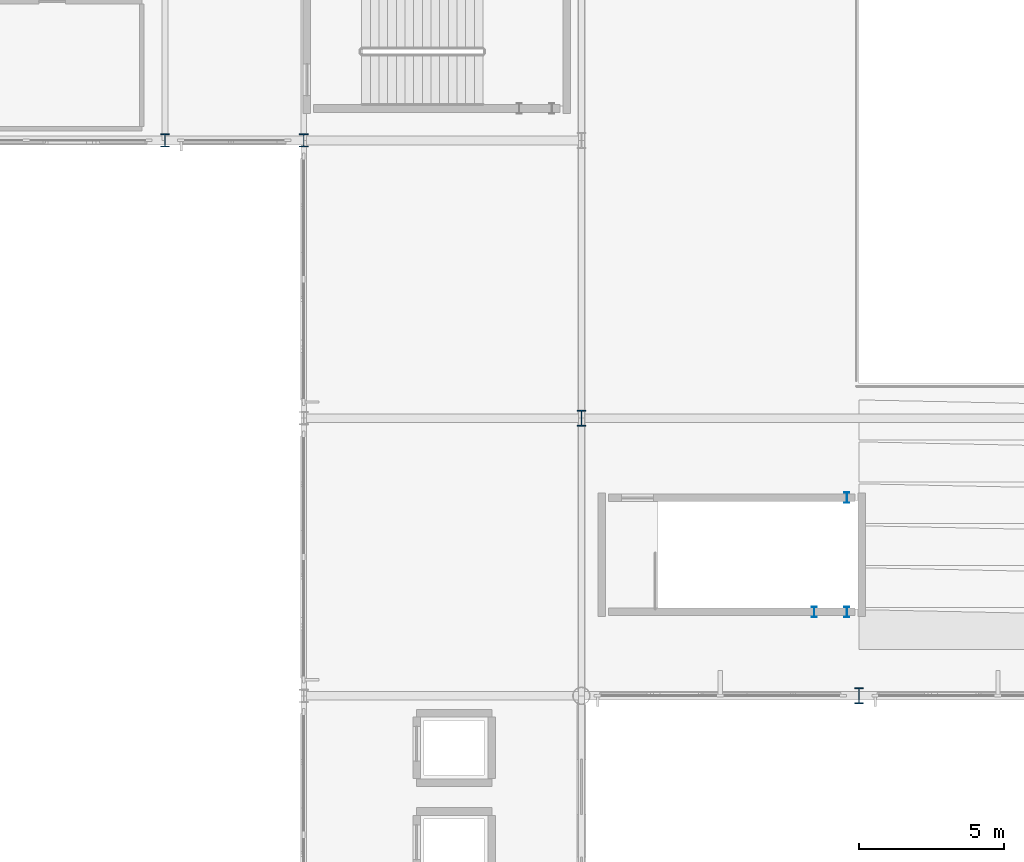
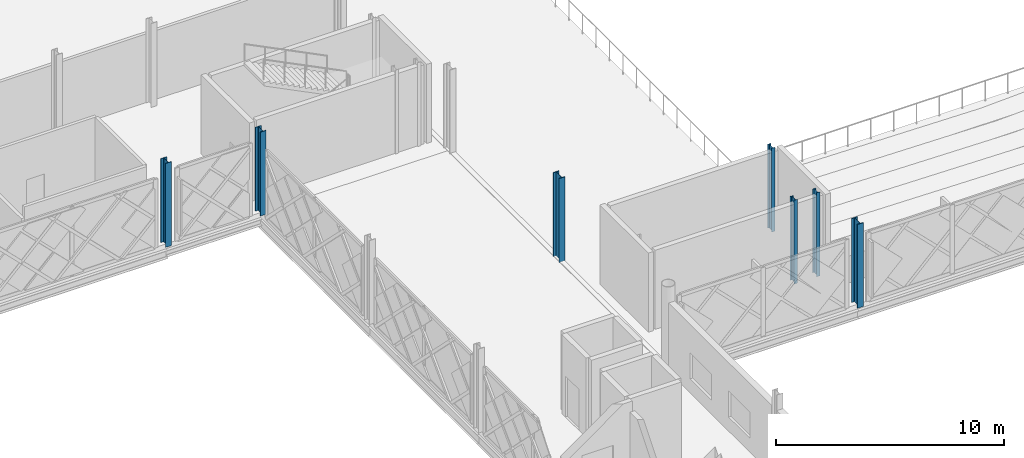
# One storey, part 13 of 101: 7 columns.
"""IFC4 building model written with IfcOpenShell, lengths in metres."""

import ifcopenshell
import ifcopenshell.guid

model = None  # the IFC model being written
_history = None  # IfcOwnerHistory: only IFC2X3 demands one
_inside = {}  # id of a spatial element -> (the spatial element, [elements in it])
_under = {}  # id of a project, library or spatial element -> (it, [spatial elements below it])
_declared = {}  # id of a project -> (the project, [libraries it declares])
_typed = {}  # id of a type object -> (the type object, [elements of that type])
_made_of = {}  # id of a material, layer set ... -> (it, [elements and type objects made of it])


def new_model(schema):
    """Start an empty IFC model of exactly this schema.

    Asked for "IFC4X3", IfcOpenShell would pick the latest addendum, in which some entities
    have other attributes; the version numbers below select the first issue.
    IFC2X3 requires an IfcOwnerHistory on every rooted entity: one is made here for all.
    """
    global model, _history
    if schema == "IFC4X3":
        model = ifcopenshell.file(schema_version=(4, 3, 0, 0))
    else:
        model = ifcopenshell.file(schema=schema)
    _inside.clear()
    _under.clear()
    _declared.clear()
    _typed.clear()
    _made_of.clear()
    _history = None
    if model.schema == "IFC2X3":
        org = make("IfcOrganization", Name="unknown")
        user = make(
            "IfcPersonAndOrganization",
            ThePerson=make("IfcPerson", FamilyName="unknown"),
            TheOrganization=org,
        )
        app = make(
            "IfcApplication",
            ApplicationDeveloper=org,
            Version="unknown",
            ApplicationFullName="unknown",
            ApplicationIdentifier="unknown",
        )
        _history = make(
            "IfcOwnerHistory",
            OwningUser=user,
            OwningApplication=app,
            ChangeAction="ADDED",
            CreationDate=0,
        )
    return model


def make(cls, **values):
    """One entity of the class cls with the attributes given. An attribute that is None is left unset."""
    return model.create_entity(
        cls, **{name: value for name, value in values.items() if value is not None}
    )


def rooted(cls, **values):
    """An entity with a GlobalId (a new one), such as an element, a storey or a relation."""
    return make(cls, GlobalId=ifcopenshell.guid.new(), OwnerHistory=_history, **values)


def si_unit(unit_type, name, prefix=None):
    """IfcSIUnit, for example si_unit("LENGTHUNIT", "METRE", prefix="MILLI")."""
    return make("IfcSIUnit", UnitType=unit_type, Prefix=prefix, Name=name)


def assignment(units):
    """IfcUnitAssignment: the units of a project."""
    return None if units is None else make("IfcUnitAssignment", Units=units)


def point(xyz):
    """IfcCartesianPoint."""
    return None if xyz is None else make("IfcCartesianPoint", Coordinates=xyz)


def direction(xyz):
    """IfcDirection."""
    return None if xyz is None else make("IfcDirection", DirectionRatios=xyz)


def frame(location, z_axis=None, x_axis=None):
    """IfcAxis2Placement3D, a coordinate frame: its origin and axes. An axis left out is left unset."""
    return make(
        "IfcAxis2Placement3D",
        Location=point(location),
        Axis=direction(z_axis),
        RefDirection=direction(x_axis),
    )


def frame_2d(location, x_axis=None):
    """IfcAxis2Placement2D, a coordinate frame in the plane: its origin and x axis."""
    return make(
        "IfcAxis2Placement2D", Location=point(location), RefDirection=direction(x_axis)
    )


def origin():
    """The frame at (0, 0, 0) with its axes left unset."""
    return frame((0.0, 0.0, 0.0))


def origin_2d():
    """The frame at (0, 0) in the plane with its x axis left unset."""
    return frame_2d((0.0, 0.0))


def place(relative_to, where):
    """IfcLocalPlacement: puts the frame where relative to a parent placement (None: the world)."""
    return make(
        "IfcLocalPlacement", PlacementRelTo=relative_to, RelativePlacement=where
    )


def context(
    kind, dimensions, precision=None, world=None, true_north=None, identifier=None
):
    """IfcGeometricRepresentationContext, for example the 3D "Model" context."""
    return make(
        "IfcGeometricRepresentationContext",
        ContextIdentifier=identifier,
        ContextType=kind,
        CoordinateSpaceDimension=dimensions,
        Precision=precision,
        WorldCoordinateSystem=world,
        TrueNorth=true_north,
    )


def subcontext(parent, identifier, kind, view, scale=None):
    """IfcGeometricRepresentationSubContext, for example "Body" below "Model"."""
    return make(
        "IfcGeometricRepresentationSubContext",
        ContextIdentifier=identifier,
        ContextType=kind,
        ParentContext=parent,
        TargetScale=scale,
        TargetView=view,
    )


def project(units=None, contexts=None):
    """IfcProject with its units and contexts."""
    return rooted(
        "IfcProject",
        Name="project",
        RepresentationContexts=contexts,
        UnitsInContext=assignment(units),
    )


def spatial(cls, under=None, at=None, **own):
    """A site, building, storey or space (cls), placed at a placement, below another one or the project."""
    s = rooted(cls, ObjectPlacement=at, **own)
    if under is not None:
        _under.setdefault(under.id(), (under, []))[1].append(s)
    return s


def profile(cls, at=None, kind="AREA", **sizes):
    """A parametric profile (cls). Its sizes go by their IFC names, for example OverallWidth=200.0."""
    return make(cls, ProfileType=kind, Position=at, **sizes)


def i_section(**sizes):
    """IfcIShapeProfileDef."""
    return profile("IfcIShapeProfileDef", **sizes)


def extrude(swept, where, along, depth):
    """IfcExtrudedAreaSolid: the profile swept, set in the frame where, extruded along a direction by depth."""
    return make(
        "IfcExtrudedAreaSolid",
        SweptArea=swept,
        Position=where,
        ExtrudedDirection=direction(along),
        Depth=depth,
    )


def shape(context_of_items, identifier, shape_type, items):
    """IfcShapeRepresentation: the items that make up one representation, for example the "Body"."""
    return make(
        "IfcShapeRepresentation",
        ContextOfItems=context_of_items,
        RepresentationIdentifier=identifier,
        RepresentationType=shape_type,
        Items=items,
    )


def material(Name=None, Category=None):
    """IfcMaterial."""
    return make("IfcMaterial", Name=Name, Category=Category)


def material_profile(
    of_material, cross_section, Name=None, Category=None, Priority=None
):
    """IfcMaterialProfile: a cross section and its material."""
    return make(
        "IfcMaterialProfile",
        Name=Name,
        Material=of_material,
        Profile=cross_section,
        Priority=Priority,
        Category=Category,
    )


def profile_set(profiles, Name=None, composite=None):
    """IfcMaterialProfileSet."""
    return make(
        "IfcMaterialProfileSet",
        Name=Name,
        MaterialProfiles=profiles,
        CompositeProfile=composite,
    )


def made_of(thing, what):
    """Note that an element or type object is made of a material, layer set ...; save() writes the relation."""
    if what is not None:
        _made_of.setdefault(what.id(), (what, []))[1].append(thing)
    return thing


def type_object(cls, material=None, **own):
    """A type object (cls), such as IfcWallType, which elements share."""
    return made_of(rooted(cls, **own), material)


def element(
    cls,
    number,
    at=None,
    inside=None,
    cuts=None,
    type_object=None,
    material=None,
    context=None,
    identifier="Body",
    shape_type=None,
    held_by="IfcProductDefinitionShape",
    body=None,
    shapes=None,
    **own,
):
    """One element of the class cls, such as IfcWall. Its Tag is "e" and its number.

    at: its placement. inside: the storey or other place that contains it. cuts: it is an
    opening in that element (IfcRelVoidsElement). A single representation is given by context,
    identifier, shape_type and body (its items); several are given by shapes. held_by: the class
    of the entity that holds the representations. save() writes the other relations.
    """
    e = rooted(cls, Tag="e%d" % number, ObjectPlacement=at, **own)
    if body is not None:
        shapes = [shape(context, identifier, shape_type, body)]
    if shapes is not None:
        e.Representation = make(held_by, Representations=shapes)
    if inside is not None:
        _inside.setdefault(inside.id(), (inside, []))[1].append(e)
    if cuts is not None:
        rooted(
            "IfcRelVoidsElement", RelatingBuildingElement=cuts, RelatedOpeningElement=e
        )
    if type_object is not None:
        _typed.setdefault(type_object.id(), (type_object, []))[1].append(e)
    return made_of(e, material)


def aggregate(whole, parts):
    """IfcRelAggregates: a whole, such as a stair, and the parts it consists of."""
    return rooted("IfcRelAggregates", RelatingObject=whole, RelatedObjects=parts)


def save(model, path):
    """Write the relations noted so far, then the file.

    IfcRelAggregates (storeys below a building ...), IfcRelContainedInSpatialStructure (elements
    in a storey), IfcRelDefinesByType, IfcRelAssociatesMaterial and IfcRelDeclares: one each for
    every whole, place, type object, material and project.
    """
    for whole, parts in _under.values():
        aggregate(whole, parts)
    for where, things in _inside.values():
        rooted(
            "IfcRelContainedInSpatialStructure",
            RelatedElements=things,
            RelatingStructure=where,
        )
    for kind, things in _typed.values():
        rooted("IfcRelDefinesByType", RelatedObjects=things, RelatingType=kind)
    for what, things in _made_of.values():
        rooted("IfcRelAssociatesMaterial", RelatedObjects=things, RelatingMaterial=what)
    for by, libraries in _declared.values():
        rooted("IfcRelDeclares", RelatingContext=by, RelatedDefinitions=libraries)
    model.write(path)


model = new_model("IFC4")

# Units and contexts
model_context = context("Model", 3, precision=1e-05, world=origin(), true_north=direction((0.0, 1.0)))
body_context = subcontext(model_context, "Body", "Model", "MODEL_VIEW")
ifc_project = project(units=[si_unit("LENGTHUNIT", "METRE"), si_unit("AREAUNIT", "SQUARE_METRE"), si_unit("VOLUMEUNIT", "CUBIC_METRE"), si_unit("PLANEANGLEUNIT", "RADIAN"), si_unit("MASSUNIT", "GRAM", prefix="KILO")], contexts=[model_context])

# Site, building, storey
site_placement = place(None, origin())
site = spatial("IfcSite", under=ifc_project, at=site_placement, CompositionType="ELEMENT")
building_placement = place(site_placement, origin())
building = spatial("IfcBuilding", under=site, at=building_placement, Name="Zevrakil Square Congress Hotel", CompositionType="ELEMENT")
storey_placement = place(building_placement, frame((0.0, 0.0, 5.39990234375)))
storey = spatial("IfcBuildingStorey", under=building, at=storey_placement, Name="L02", CompositionType="ELEMENT", Elevation=5.39990234375)

# Columns
ifc_material_1 = material(Name="Steel S355", Category="steel")
ifc_material_profile_1 = material_profile(ifc_material_1, i_section(OverallWidth=0.300048828125, OverallDepth=0.449951171875, WebThickness=0.013916015625, FlangeThickness=0.02587890625, FilletRadius=0.027099609375, at=origin_2d()), Name="HEB 450")
ifc_profile_set_1 = profile_set([ifc_material_profile_1], Name="Steel S355")
column_type_1 = type_object("IfcColumnType", Name="COL-HEB450", PredefinedType="COLUMN", material=ifc_profile_set_1)
for number, where, z_axis, x_axis, name in (
    (1, (103.199951171875, 84.0, 0.0), (0.0, 0.0, 1.0), (1.0, 0.0, 0.0), "L02 column C-158"),
    (2, (108.0, 84.0, 0.0), (0.0, 0.0, 1.0), (1.0, 0.0, 0.0), "L02 column C-172"),
):
    element("IfcColumn", number, at=place(storey_placement, frame(where, z_axis=z_axis, x_axis=x_axis)), inside=storey, type_object=column_type_1, Name=name, PredefinedType="COLUMN", context=body_context, shape_type="SweptSolid", body=[
        extrude(i_section(OverallWidth=0.300048828125, OverallDepth=0.449951171875, WebThickness=0.013916015625, FlangeThickness=0.02587890625, FilletRadius=0.027099609375, at=origin_2d()), origin(), (0.0, 0.0, 1.0), 4.5),
    ])
ifc_material_2 = material(Name="Steel S355", Category="steel")
ifc_material_profile_2 = material_profile(ifc_material_2, i_section(OverallWidth=0.300048828125, OverallDepth=0.550048828125, WebThickness=0.014892578125, FlangeThickness=0.029052734375, FilletRadius=0.027099609375, at=origin_2d()), Name="HEB 550")
ifc_profile_set_2 = profile_set([ifc_material_profile_2], Name="Steel S355")
column_type_2 = type_object("IfcColumnType", Name="COL-HEB550", PredefinedType="COLUMN", material=ifc_profile_set_2)
for number, where, z_axis, x_axis, name in (
    (3, (117.60009765625, 74.39990234375, 0.0), (0.0, 0.0, 1.0), (1.0, 0.0, 0.0), "L02 column C-189"),
    (4, (127.199951171875, 64.800048828125, 0.0), (0.0, 0.0, 1.0), (1.0, 0.0, 0.0), "L02 column C-201"),
):
    element("IfcColumn", number, at=place(storey_placement, frame(where, z_axis=z_axis, x_axis=x_axis)), inside=storey, type_object=column_type_2, Name=name, PredefinedType="COLUMN", context=body_context, shape_type="SweptSolid", body=[
        extrude(i_section(OverallWidth=0.300048828125, OverallDepth=0.550048828125, WebThickness=0.014892578125, FlangeThickness=0.029052734375, FilletRadius=0.027099609375, at=origin_2d()), origin(), (0.0, 0.0, 1.0), 4.5),
    ])
ifc_material_3 = material(Name="Steel S355", Category="steel")
ifc_material_profile_3 = material_profile(ifc_material_3, i_section(OverallWidth=0.169921875, OverallDepth=0.360107421875, WebThickness=0.008056640625, FlangeThickness=0.0126953125, FilletRadius=0.01806640625, at=origin_2d()), Name="IPE 360")
ifc_profile_set_3 = profile_set([ifc_material_profile_3], Name="Steel S355")
column_type_3 = type_object("IfcColumnType", Name="COL-PILASTER-SHS180", PredefinedType="PILASTER", material=ifc_profile_set_3)
for number, where, z_axis, x_axis, name in (
    (5, (125.64990234375, 67.699951171875, 0.0), (0.0, 0.0, 1.0), (1.0, 0.0, 0.0), "L02 ST08 stair shaft post 1"),
    (6, (126.780029296875, 67.699951171875, 0.0), (0.0, 0.0, 1.0), (1.0, 0.0, 0.0), "L02 ST08 stair shaft post 2"),
    (7, (126.780029296875, 71.64990234375, 0.0), (0.0, 0.0, 1.0), (1.0, 0.0, 0.0), "L02 ST08 stair shaft post 3"),
):
    element("IfcColumn", number, at=place(storey_placement, frame(where, z_axis=z_axis, x_axis=x_axis)), inside=storey, type_object=column_type_3, Name=name, PredefinedType="PILASTER", context=body_context, shape_type="SweptSolid", body=[
        extrude(i_section(OverallWidth=0.169921875, OverallDepth=0.360107421875, WebThickness=0.008056640625, FlangeThickness=0.0126953125, FilletRadius=0.01806640625, at=origin_2d()), origin(), (0.0, 0.0, 1.0), 4.5),
    ])

save(model, "model.ifc")
